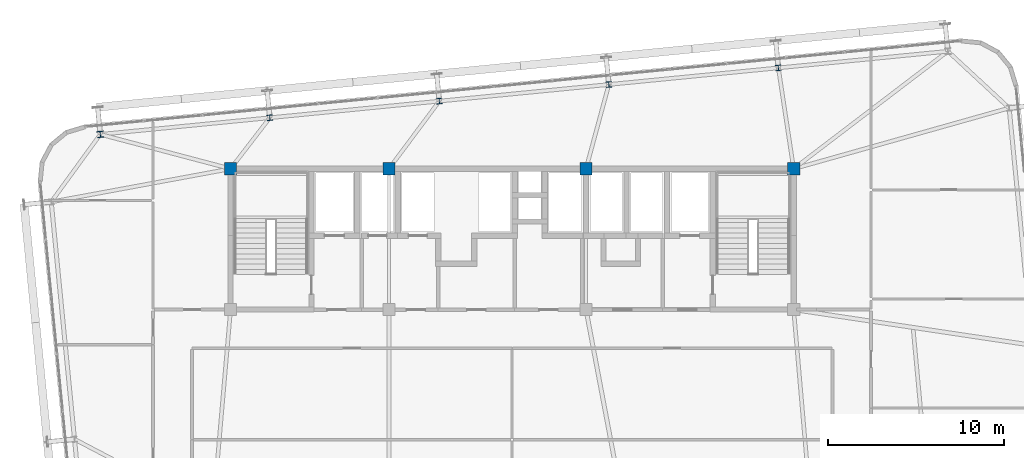
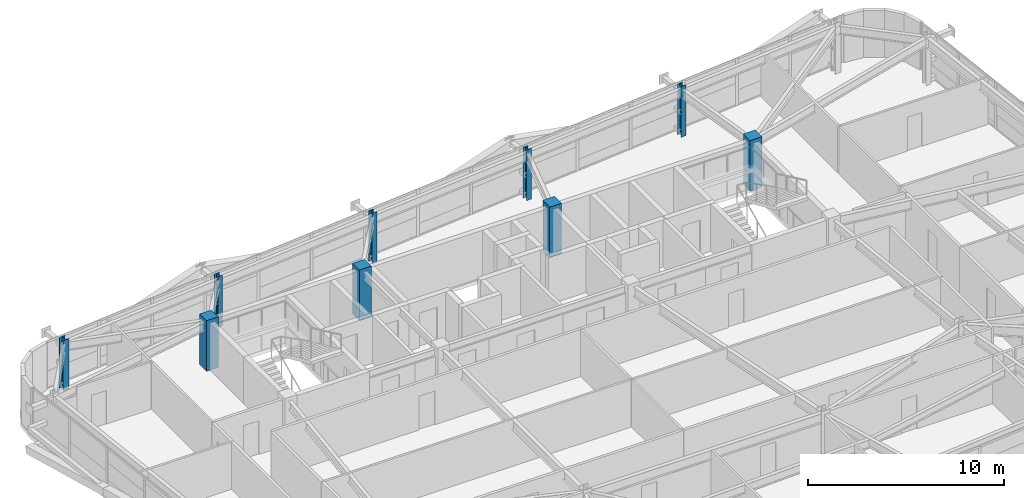
# One storey, part 3 of 52: 9 columns.
"""IFC4 building model written with IfcOpenShell, lengths in metres."""

from ifc_helpers import new_model, si_unit, direction, frame, origin, origin_2d, place, context, subcontext, project, spatial, rectangle, i_section, extrude, source, transform, mapped, material, material_profile, profile_set, type_object, element, save


model = new_model("IFC4")

# Units and contexts
model_context = context("Model", 3, precision=1e-05, world=origin(), true_north=direction((0.0, 1.0)))
body_context = subcontext(model_context, "Body", "Model", "MODEL_VIEW")
ifc_project = project(units=[si_unit("LENGTHUNIT", "METRE"), si_unit("AREAUNIT", "SQUARE_METRE"), si_unit("VOLUMEUNIT", "CUBIC_METRE"), si_unit("PLANEANGLEUNIT", "RADIAN"), si_unit("MASSUNIT", "GRAM", prefix="KILO")], contexts=[model_context])

# Site, building, storey
site_placement = place(None, origin())
site = spatial("IfcSite", under=ifc_project, at=site_placement, CompositionType="ELEMENT")
building_placement = place(site_placement, origin())
building = spatial("IfcBuilding", under=site, at=building_placement, Name="Taldren Reach Tower", CompositionType="ELEMENT")
storey_placement = place(building_placement, frame((0.0, 0.0, 74.550048828125)))
storey = spatial("IfcBuildingStorey", under=building, at=storey_placement, Name="L22", CompositionType="ELEMENT", Elevation=74.550048828125)

# Columns
ifc_material_1 = material(Name="Concrete S65 (65 MPa)", Category="concrete")
ifc_material_profile_1 = material_profile(ifc_material_1, rectangle(XDim=0.699951171875, YDim=0.699951171875, at=origin_2d()), Name="RC-700x700")
ifc_profile_set_1 = profile_set([ifc_material_profile_1], Name="Concrete S65 (65 MPa)")
column_type_1 = type_object("IfcColumnType", Name="COL-RC700", PredefinedType="COLUMN", material=ifc_profile_set_1)
shared_shape_1 = source(origin(), body_context, "Body", "SweptSolid", [
    extrude(rectangle(XDim=0.699951171875, YDim=0.699951171875, at=origin_2d()), origin(), (0.0, 0.0, 1.0), 3.14990234375),
])
for number, where, z_axis, x_axis, name in (
    (1, (19.0, 32.0, 0.0), (0.0, 0.0, 1.0), (1.0, 0.0, 0.0), "Mega column MC-C5 L22"),
    (2, (28.0, 32.0, 0.0), (0.0, 0.0, 1.0), (1.0, 0.0, 0.0), "Mega column MC-C6 L22"),
    (3, (39.199951171875, 32.0, 0.0), (0.0, 0.0, 1.0), (1.0, 0.0, 0.0), "Mega column MC-C7 L22"),
    (4, (51.0, 32.0, 0.0), (0.0, 0.0, 1.0), (1.0, 0.0, 0.0), "Mega column MC-C8 L22"),
):
    element("IfcColumn", number, at=place(storey_placement, frame(where, z_axis=z_axis, x_axis=x_axis)), inside=storey, type_object=column_type_1, Name=name, PredefinedType="COLUMN", context=body_context, shape_type="MappedRepresentation", body=[
        mapped(shared_shape_1, transform((0.0, 0.0, 0.0), scale=1.0)),
    ])
ifc_material_2 = material(Name="Steel Gr 350 (350PLUS)", Category="steel")
ifc_material_profile_2 = material_profile(ifc_material_2, i_section(OverallWidth=0.35009765625, OverallDepth=0.35595703125, WebThickness=0.01806640625, FlangeThickness=0.028076171875, at=origin_2d()), Name="350WC197")
ifc_profile_set_2 = profile_set([ifc_material_profile_2], Name="Steel Gr 350 (350PLUS)")
column_type_2 = type_object("IfcColumnType", Name="COL-WC350", PredefinedType="COLUMN", material=ifc_profile_set_2)
shared_shape_2 = source(origin(), body_context, "Body", "SweptSolid", [
    extrude(i_section(OverallWidth=0.35009765625, OverallDepth=0.35595703125, WebThickness=0.01806640625, FlangeThickness=0.028076171875, at=origin_2d()), origin(), (0.0, 0.0, 1.0), 3.14990234375),
])
column_placement = place(storey_placement, frame((11.596923828125, 33.956787109375, 0.0), z_axis=(0.0, 0.0, 1.0), x_axis=(0.995227399982, 0.097582899759, 0.0)))
element("IfcColumn", 5, at=column_placement, inside=storey, type_object=column_type_2, Name="Block B2 perimeter column N1 L22", PredefinedType="COLUMN", context=body_context, shape_type="MappedRepresentation", body=[
    mapped(shared_shape_2, transform((0.0, 0.0, 0.0), scale=1.0)),
])
ifc_material_profile_3 = material_profile(ifc_material_2, i_section(OverallWidth=0.306884765625, OverallDepth=0.31494140625, WebThickness=0.011962890625, FlangeThickness=0.018798828125, at=origin_2d()), Name="310UC118")
ifc_profile_set_3 = profile_set([ifc_material_profile_3], Name="Steel Gr 350 (350PLUS)")
column_type_3 = type_object("IfcColumnType", Name="COL-UC310B", PredefinedType="COLUMN", material=ifc_profile_set_3)
shared_shape_3 = source(origin(), body_context, "Body", "SweptSolid", [
    extrude(i_section(OverallWidth=0.306884765625, OverallDepth=0.31494140625, WebThickness=0.011962890625, FlangeThickness=0.018798828125, at=origin_2d()), origin(), (0.0, 0.0, 1.0), 3.14990234375),
])
for number, where, z_axis, x_axis, name in (
    (6, (21.230712890625, 34.9013671875, 0.0), (0.0, 0.0, 1.0), (0.995227399982, 0.097582899759, 0.0), "Block B2 perimeter column N2 L22"),
    (7, (30.864501953125, 35.84619140625, 0.0), (0.0, 0.0, 1.0), (0.995227399982, 0.097582899759, 0.0), "Block B2 perimeter column N3 L22"),
    (8, (40.498291015625, 36.790771484375, 0.0), (0.0, 0.0, 1.0), (0.995227399982, 0.097582899759, 0.0), "Block B2 perimeter column N4 L22"),
    (9, (50.132080078125, 37.7353515625, 0.0), (0.0, 0.0, 1.0), (0.995227399982, 0.097582899759, 0.0), "Block B2 perimeter column N5 L22"),
):
    element("IfcColumn", number, at=place(storey_placement, frame(where, z_axis=z_axis, x_axis=x_axis)), inside=storey, type_object=column_type_3, Name=name, PredefinedType="COLUMN", context=body_context, shape_type="MappedRepresentation", body=[
        mapped(shared_shape_3, transform((0.0, 0.0, 0.0), scale=1.0)),
    ])

save(model, "model.ifc")
